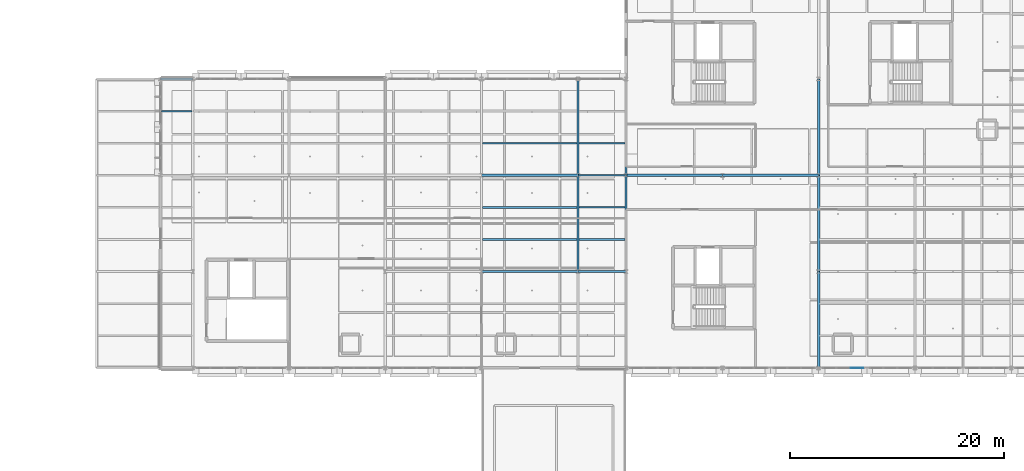
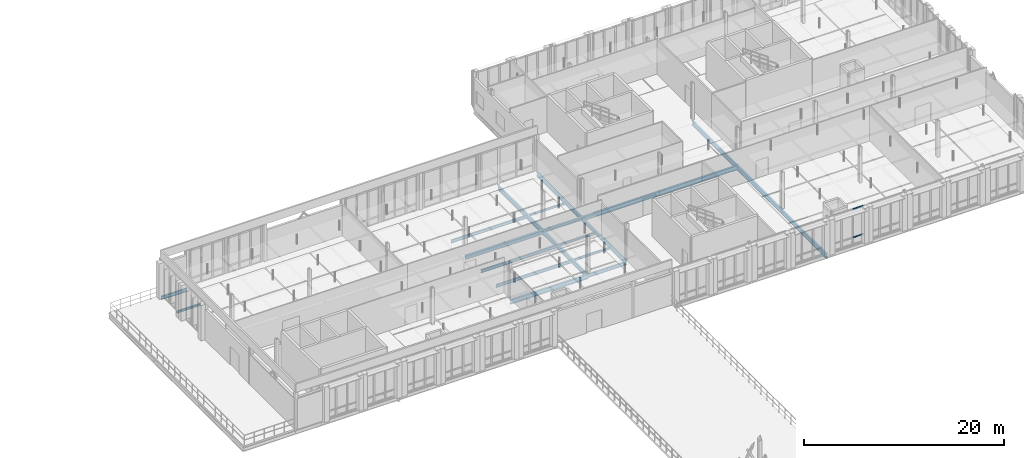
# One storey, part 26 of 89: 21 beams, 2 members, 1 element without a shape of its own.
"""IFC4 building model written with IfcOpenShell, lengths in metres."""

from ifc_helpers import new_model, si_unit, direction, frame, origin, origin_2d, place, context, subcontext, project, spatial, rectangle, i_section, extrude, material, material_profile, profile_set, type_object, element, aggregate, save


model = new_model("IFC4")

# Units and contexts
model_context = context("Model", 3, precision=1e-05, world=origin(), true_north=direction((0.0, 1.0)))
body_context = subcontext(model_context, "Body", "Model", "MODEL_VIEW")
ifc_project = project(units=[si_unit("LENGTHUNIT", "METRE"), si_unit("AREAUNIT", "SQUARE_METRE"), si_unit("VOLUMEUNIT", "CUBIC_METRE"), si_unit("PLANEANGLEUNIT", "RADIAN"), si_unit("MASSUNIT", "GRAM", prefix="KILO"), si_unit("THERMODYNAMICTEMPERATUREUNIT", "KELVIN"), si_unit("POWERUNIT", "WATT")], contexts=[model_context])

# Site, building, storey
site_placement = place(None, origin())
site = spatial("IfcSite", under=ifc_project, at=site_placement, CompositionType="ELEMENT")
building_placement = place(site_placement, origin())
building = spatial("IfcBuilding", under=site, at=building_placement, Name="Tallowbark Science Centre", CompositionType="ELEMENT")
storey_placement = place(building_placement, frame((0.0, 0.0, 14.39990234375)))
storey = spatial("IfcBuildingStorey", under=building, at=storey_placement, Name="L03", CompositionType="ELEMENT", Elevation=14.39990234375)

# Beams
ifc_material_1 = material(Name="Structural Steel Grade 300PLUS (300 MPa)", Category="steel")
ifc_material_profile_1 = material_profile(ifc_material_1, i_section(OverallWidth=0.177734375, OverallDepth=0.406494140625, WebThickness=0.0078125, FlangeThickness=0.0126953125, FilletRadius=0.011474609375, at=origin_2d()), Name="410UB59.7")
ifc_profile_set_1 = profile_set([ifc_material_profile_1], Name="Structural Steel Grade 300PLUS (300 MPa)")
beam_type_1 = type_object("IfcBeamType", Name="BM-UB410", PredefinedType="BEAM", material=ifc_profile_set_1)
for number, where, z_axis, x_axis, name in (
    (1, (108.0, 81.0, -0.383056640625), (1.0, 0.0, 0.0), (0.0, 1.0, 0.0), "Primary Girder GRDX-L03-1080-1125-810"),
    (2, (108.0, 90.0, -0.383056640625), (1.0, 0.0, 0.0), (0.0, 1.0, 0.0), "Primary Girder GRDX-L03-1080-1125-900"),
):
    element("IfcBeam", number, at=place(storey_placement, frame(where, z_axis=z_axis, x_axis=x_axis)), inside=storey, type_object=beam_type_1, Name=name, PredefinedType="BEAM", context=body_context, shape_type="SweptSolid", body=[
        extrude(i_section(OverallWidth=0.177734375, OverallDepth=0.406494140625, WebThickness=0.0078125, FlangeThickness=0.0126953125, FilletRadius=0.011474609375, at=origin_2d()), origin(), (0.0, 0.0, 1.0), 4.5),
    ])
beam_1_placement = place(storey_placement, frame((69.0, 99.0, -0.383056640625), z_axis=(1.0, 0.0, 0.0), x_axis=(0.0, 1.0, 0.0)))
element("IfcBeam", 3, at=beam_1_placement, inside=storey, type_object=beam_type_1, Name="Primary Girder GRDX-L03-690-720-990", PredefinedType="BEAM", context=body_context, shape_type="SweptSolid", body=[
    extrude(i_section(OverallWidth=0.177734375, OverallDepth=0.406494140625, WebThickness=0.0078125, FlangeThickness=0.0126953125, FilletRadius=0.011474609375, at=origin_2d()), origin(), (0.0, 0.0, 1.0), 3.0),
])
ifc_material_profile_2 = material_profile(ifc_material_1, i_section(OverallWidth=0.208984375, OverallDepth=0.532958984375, WebThickness=0.01025390625, FlangeThickness=0.015625, FilletRadius=0.013916015625, at=origin_2d()), Name="530UB92.4")
ifc_profile_set_2 = profile_set([ifc_material_profile_2], Name="Structural Steel Grade 300PLUS (300 MPa)")
beam_type_2 = type_object("IfcBeamType", Name="BM-UB530A", PredefinedType="BEAM", material=ifc_profile_set_2)
for number, where, z_axis, x_axis, name in (
    (4, (99.0, 81.0, -0.4462890625), (1.0, 0.0, 0.0), (0.0, 1.0, 0.0), "Primary Girder GRDX-L03-990-1080-810"),
    (5, (99.0, 90.0, -0.4462890625), (1.0, 0.0, 0.0), (0.0, 1.0, 0.0), "Primary Girder GRDX-L03-990-1080-900"),
    (6, (112.5, 90.0, -0.4462890625), (1.0, 0.0, 0.0), (0.0, 1.0, 0.0), "Primary Girder GRDX-L03-1125-1215-900"),
    (7, (121.5, 90.0, -0.4462890625), (1.0, 0.0, 0.0), (0.0, 1.0, 0.0), "Primary Girder GRDX-L03-1215-1305-900"),
):
    element("IfcBeam", number, at=place(storey_placement, frame(where, z_axis=z_axis, x_axis=x_axis)), inside=storey, type_object=beam_type_2, Name=name, PredefinedType="BEAM", context=body_context, shape_type="SweptSolid", body=[
        extrude(i_section(OverallWidth=0.208984375, OverallDepth=0.532958984375, WebThickness=0.01025390625, FlangeThickness=0.015625, FilletRadius=0.013916015625, at=origin_2d()), origin(), (0.0, 0.0, 1.0), 9.0),
    ])
ifc_material_profile_3 = material_profile(ifc_material_1, i_section(OverallWidth=0.208740234375, OverallDepth=0.5283203125, WebThickness=0.009521484375, FlangeThickness=0.01318359375, FilletRadius=0.013916015625, at=origin_2d()), Name="530UB82.0")
ifc_profile_set_3 = profile_set([ifc_material_profile_3], Name="Structural Steel Grade 300PLUS (300 MPa)")
beam_type_3 = type_object("IfcBeamType", Name="BM-UB530B", PredefinedType="BEAM", material=ifc_profile_set_3)
for number, where, z_axis, x_axis, name in (
    (8, (108.0, 81.0, -0.444091796875), (0.0, 1.0, 0.0), (-1.0, 0.0, 0.0), "Primary Girder GRDY-L03-1080-810-900"),
    (9, (108.0, 90.0, -0.444091796875), (0.0, 1.0, 0.0), (-1.0, 0.0, 0.0), "Primary Girder GRDY-L03-1080-900-990"),
    (10, (130.5, 72.0, -0.444091796875), (0.0, 1.0, 0.0), (-1.0, 0.0, 0.0), "Primary Girder GRDY-L03-1305-720-810"),
    (11, (130.5, 81.0, -0.444091796875), (0.0, 1.0, 0.0), (-1.0, 0.0, 0.0), "Primary Girder GRDY-L03-1305-810-900"),
    (12, (130.5, 90.0, -0.444091796875), (0.0, 1.0, 0.0), (-1.0, 0.0, 0.0), "Primary Girder GRDY-L03-1305-900-990"),
):
    element("IfcBeam", number, at=place(storey_placement, frame(where, z_axis=z_axis, x_axis=x_axis)), inside=storey, type_object=beam_type_3, Name=name, PredefinedType="BEAM", context=body_context, shape_type="SweptSolid", body=[
        extrude(i_section(OverallWidth=0.208740234375, OverallDepth=0.5283203125, WebThickness=0.009521484375, FlangeThickness=0.01318359375, FilletRadius=0.013916015625, at=origin_2d()), origin(), (0.0, 0.0, 1.0), 9.0),
    ])

# Curtain wall, members
ifc_material_2 = material(Name="Unitised Thermally Broken Aluminium and Low-E Double Glazing", Category="aluminium")
curtain_wall_type = type_object("IfcCurtainWallType", Name="CW-SYS-FACADE", PredefinedType="NOTDEFINED", material=ifc_material_2)
curtain_wall_placement = place(storey_placement, origin())
curtain_wall = element("IfcCurtainWall", 13, at=curtain_wall_placement, inside=storey, type_object=curtain_wall_type, Name="Unitised Curtain Wall OBS-S-130A CW-L03-172", PredefinedType="NOTDEFINED")
ifc_material_3 = material(Name="Anodised Architectural Aluminium Alloy 6063-T6", Category="aluminium")
ifc_material_profile_4 = material_profile(ifc_material_3, rectangle(XDim=0.054931640625, YDim=0.1201171875, at=origin_2d()), Name="ALU55x120")
ifc_profile_set_4 = profile_set([ifc_material_profile_4], Name="Anodised Architectural Aluminium Alloy 6063-T6")
member_type = type_object("IfcMemberType", Name="CWM-TRN-150", PredefinedType="USERDEFINED", material=ifc_profile_set_4)
member_1_placement = place(storey_placement, frame((133.482421875, 72.0, 0.85009765625), z_axis=(1.0, 0.0, 0.0), x_axis=(0.0, 1.0, 0.0)))
member_1 = element("IfcMember", 14, at=member_1_placement, type_object=member_type, Name="CW-01 transom 3.2", ObjectType="TRANSOM", PredefinedType="USERDEFINED", context=body_context, shape_type="SweptSolid", body=[
    extrude(rectangle(XDim=0.054931640625, YDim=0.1201171875, at=origin_2d()), origin(), (0.0, 0.0, 1.0), 1.20263671875),
])
member_2_placement = place(storey_placement, frame((133.482421875, 72.0, 4.29248046875), z_axis=(1.0, 0.0, 0.0), x_axis=(0.0, 1.0, 0.0)))
member_2 = element("IfcMember", 15, at=member_2_placement, type_object=member_type, Name="CW-01 transom 3.3", ObjectType="TRANSOM", PredefinedType="USERDEFINED", context=body_context, shape_type="SweptSolid", body=[
    extrude(rectangle(XDim=0.054931640625, YDim=0.1201171875, at=origin_2d()), origin(), (0.0, 0.0, 1.0), 1.20263671875),
])
aggregate(curtain_wall, [member_1, member_2])

# Beams
ifc_material_profile_5 = material_profile(ifc_material_1, i_section(OverallWidth=0.146484375, OverallDepth=0.256103515625, WebThickness=0.00634765625, FlangeThickness=0.010986328125, FilletRadius=0.0087890625, at=origin_2d()), Name="250UB37.3")
ifc_profile_set_5 = profile_set([ifc_material_profile_5], Name="Structural Steel Grade 300PLUS (300 MPa)")
beam_type_4 = type_object("IfcBeamType", Name="JST-UB250", PredefinedType="JOIST", material=ifc_profile_set_5)
for number, where, z_axis, x_axis, name in (
    (16, (108.0849609375, 84.0, -0.30810546875), (1.0, 0.0, 0.0), (0.0, 1.0, 0.0), "Composite Floor Joist JSTX-L03-1080-840"),
    (17, (108.0849609375, 87.0, -0.30810546875), (1.0, 0.0, 0.0), (0.0, 1.0, 0.0), "Composite Floor Joist JSTX-L03-1080-870"),
):
    element("IfcBeam", number, at=place(storey_placement, frame(where, z_axis=z_axis, x_axis=x_axis)), inside=storey, type_object=beam_type_4, Name=name, PredefinedType="JOIST", context=body_context, shape_type="SweptSolid", body=[
        extrude(i_section(OverallWidth=0.146484375, OverallDepth=0.256103515625, WebThickness=0.00634765625, FlangeThickness=0.010986328125, FilletRadius=0.0087890625, at=origin_2d()), origin(), (0.0, 0.0, 1.0), 4.330078125),
    ])
beam_2_placement = place(storey_placement, frame((69.0849609375, 96.0, -0.30810546875), z_axis=(1.0, 0.0, 0.0), x_axis=(0.0, 1.0, 0.0)))
element("IfcBeam", 18, at=beam_2_placement, inside=storey, type_object=beam_type_4, Name="Composite Floor Joist JSTX-L03-690-960", PredefinedType="JOIST", context=body_context, shape_type="SweptSolid", body=[
    extrude(i_section(OverallWidth=0.146484375, OverallDepth=0.256103515625, WebThickness=0.00634765625, FlangeThickness=0.010986328125, FilletRadius=0.0087890625, at=origin_2d()), origin(), (0.0, 0.0, 1.0), 2.830078125),
])
beam_3_placement = place(storey_placement, frame((108.0849609375, 93.0, -0.30810546875), z_axis=(1.0, 0.0, 0.0), x_axis=(0.0, 1.0, 0.0)))
element("IfcBeam", 19, at=beam_3_placement, inside=storey, type_object=beam_type_4, Name="Composite Floor Joist JSTX-L03-1080-930", PredefinedType="JOIST", context=body_context, shape_type="SweptSolid", body=[
    extrude(i_section(OverallWidth=0.146484375, OverallDepth=0.256103515625, WebThickness=0.00634765625, FlangeThickness=0.010986328125, FilletRadius=0.0087890625, at=origin_2d()), origin(), (0.0, 0.0, 1.0), 4.330078125),
])
ifc_material_profile_6 = material_profile(ifc_material_1, i_section(OverallWidth=0.172119140625, OverallDepth=0.358642578125, WebThickness=0.008056640625, FlangeThickness=0.012939453125, FilletRadius=0.011474609375, at=origin_2d()), Name="360UB56.7")
ifc_profile_set_6 = profile_set([ifc_material_profile_6], Name="Structural Steel Grade 300PLUS (300 MPa)")
beam_type_5 = type_object("IfcBeamType", Name="JST-UB360", PredefinedType="JOIST", material=ifc_profile_set_6)
for number, where, z_axis, x_axis, name in (
    (20, (99.0849609375, 84.0, -0.359130859375), (1.0, 0.0, 0.0), (0.0, 1.0, 0.0), "Composite Floor Joist JSTX-L03-990-840"),
    (21, (99.0849609375, 87.0, -0.359130859375), (1.0, 0.0, 0.0), (0.0, 1.0, 0.0), "Composite Floor Joist JSTX-L03-990-870"),
    (22, (99.0849609375, 93.0, -0.359130859375), (1.0, 0.0, 0.0), (0.0, 1.0, 0.0), "Composite Floor Joist JSTX-L03-990-930"),
):
    element("IfcBeam", number, at=place(storey_placement, frame(where, z_axis=z_axis, x_axis=x_axis)), inside=storey, type_object=beam_type_5, Name=name, PredefinedType="JOIST", context=body_context, shape_type="SweptSolid", body=[
        extrude(i_section(OverallWidth=0.172119140625, OverallDepth=0.358642578125, WebThickness=0.008056640625, FlangeThickness=0.012939453125, FilletRadius=0.011474609375, at=origin_2d()), origin(), (0.0, 0.0, 1.0), 8.830078125),
    ])
ifc_material_profile_7 = material_profile(ifc_material_1, i_section(OverallWidth=0.18994140625, OverallDepth=0.453857421875, WebThickness=0.008544921875, FlangeThickness=0.0126953125, FilletRadius=0.011474609375, at=origin_2d()), Name="460UB67.1")
ifc_profile_set_7 = profile_set([ifc_material_profile_7], Name="Structural Steel Grade 300PLUS (300 MPa)")
beam_type_6 = type_object("IfcBeamType", Name="SPN-UB460", PredefinedType="SPANDREL", material=ifc_profile_set_7)
for number, where, z_axis, x_axis, name in (
    (23, (112.5, 81.0, -0.40673828125), (0.0, 1.0, 0.0), (-1.0, 0.0, 0.0), "Primary Girder GRDY-L03-1125-810-900"),
    (24, (112.5, 90.0, -0.40673828125), (0.0, 1.0, 0.0), (-1.0, 0.0, 0.0), "Primary Girder GRDY-L03-1125-900-990"),
):
    element("IfcBeam", number, at=place(storey_placement, frame(where, z_axis=z_axis, x_axis=x_axis)), inside=storey, type_object=beam_type_6, Name=name, PredefinedType="SPANDREL", context=body_context, shape_type="SweptSolid", body=[
        extrude(i_section(OverallWidth=0.18994140625, OverallDepth=0.453857421875, WebThickness=0.008544921875, FlangeThickness=0.0126953125, FilletRadius=0.011474609375, at=origin_2d()), origin(), (0.0, 0.0, 1.0), 9.0),
    ])

save(model, "model.ifc")
